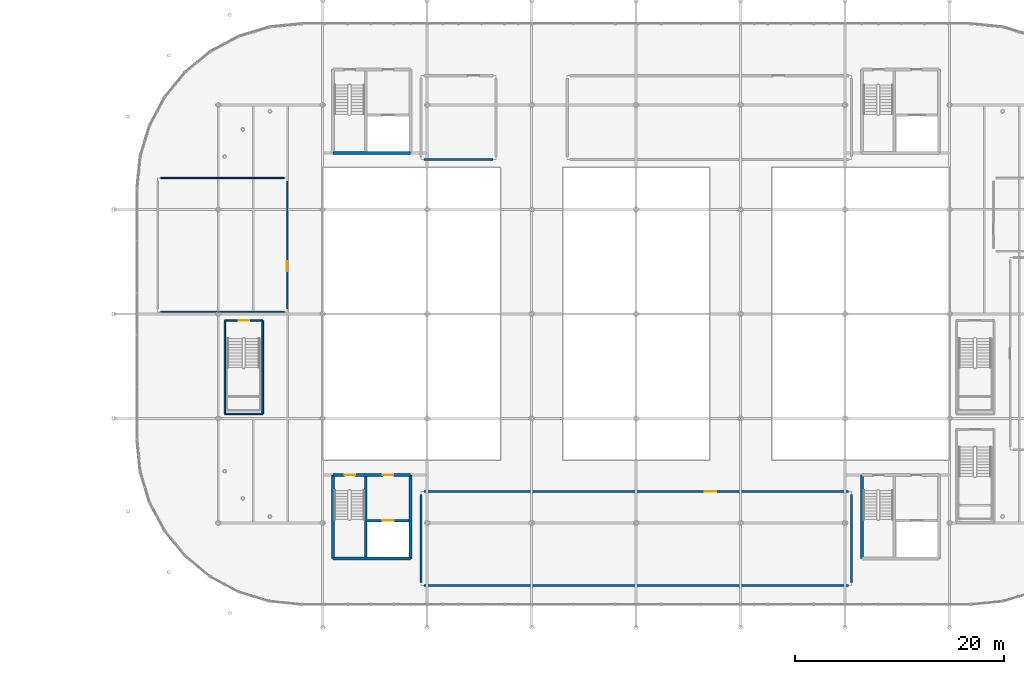
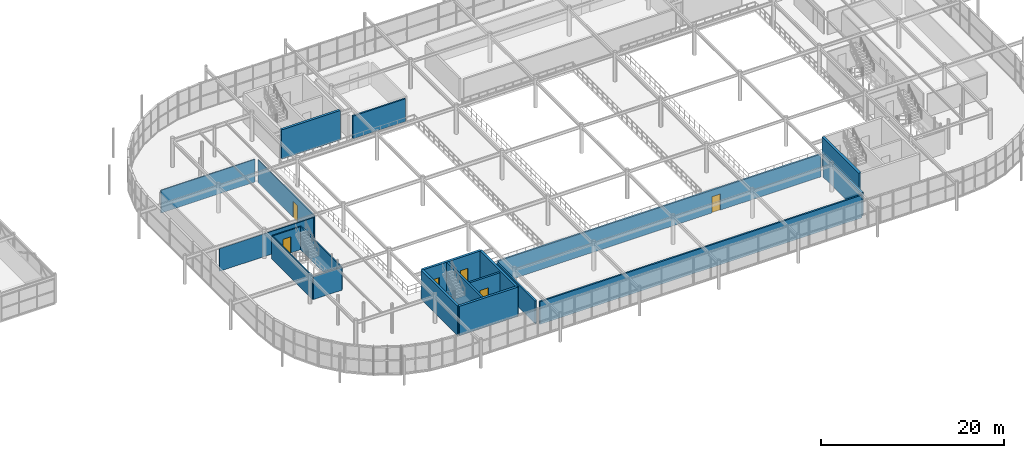
# One storey, part 76 of 98: 20 walls, 6 doors, 6 openings.
"""IFC4 building model written with IfcOpenShell, lengths in metres."""

from ifc_helpers import new_model, si_unit, derived_unit, direction, frame, frame_2d, origin, place, context, subcontext, project, spatial, rectangle, extrude, material, layer, layer_set, type_object, element, fill, save


model = new_model("IFC4")

# Units and contexts
model_context = context("Model", 3, precision=1e-05, world=origin(), true_north=direction((0.0, 1.0)))
body_context = subcontext(model_context, "Body", "Model", "MODEL_VIEW")
ifc_project = project(units=[si_unit("LENGTHUNIT", "METRE"), si_unit("AREAUNIT", "SQUARE_METRE"), si_unit("VOLUMEUNIT", "CUBIC_METRE"), si_unit("PLANEANGLEUNIT", "RADIAN"), si_unit("MASSUNIT", "GRAM", prefix="KILO"), derived_unit("THERMALTRANSMITTANCEUNIT", [(si_unit("POWERUNIT", "WATT"), 1), (si_unit("LENGTHUNIT", "METRE"), -2), (si_unit("THERMODYNAMICTEMPERATUREUNIT", "KELVIN"), -1)])], contexts=[model_context])

# Site, building, storey
site_placement = place(None, origin())
site = spatial("IfcSite", under=ifc_project, at=site_placement, CompositionType="ELEMENT")
building_placement = place(site_placement, origin())
building = spatial("IfcBuilding", under=site, at=building_placement, Name="Cinnabar Yard Market Hall", CompositionType="ELEMENT")
storey_placement = place(building_placement, frame((0.0, 0.0, 4.5)))
storey = spatial("IfcBuildingStorey", under=building, at=storey_placement, Name="L01", CompositionType="ELEMENT", Elevation=4.5)

# Wall
ifc_material_1 = material(Name="Acoustic steel-stud plasterboard", Category="steel")
ifc_layer_1 = layer(ifc_material_1, 0.1201171875)
ifc_layer_set_1 = layer_set([ifc_layer_1], Name="Acoustic steel-stud plasterboard")
wall_type_1 = type_object("IfcWallType", Name="WL-PT120", PredefinedType="PARTITIONING", material=ifc_layer_set_1)
wall_1_placement = place(storey_placement, frame((70.47998046875, 44.199951171875, 0.0), z_axis=(0.0, 0.0, 1.0), x_axis=(1.0, 0.0, 0.0)))
element("IfcWall", 1, at=wall_1_placement, inside=storey, type_object=wall_type_1, Name="Partition West Gallery Courtyard Restaurant south", PredefinedType="PARTITIONING", context=body_context, shape_type="SweptSolid", body=[
    extrude(rectangle(XDim=11.840087890625, YDim=0.1201171875, at=frame_2d((5.919921875, 0.0), x_axis=(1.0, 0.0))), origin(), (0.0, 0.0, 1.0), 3.030029296875),
])

# Wall, opening, door
wall_2_placement = place(storey_placement, frame((82.60009765625, 44.47998046875, 0.0), z_axis=(0.0, 0.0, 1.0), x_axis=(0.0, 1.0, 0.0)))
wall_2 = element("IfcWall", 2, at=wall_2_placement, inside=storey, type_object=wall_type_1, Name="Partition West Gallery Courtyard Restaurant east", PredefinedType="PARTITIONING", context=body_context, shape_type="SweptSolid", body=[
    extrude(rectangle(XDim=12.239990234375, YDim=0.1201171875, at=frame_2d((6.1201171875, 0.0), x_axis=(1.0, 0.0))), origin(), (0.0, 0.0, 1.0), 3.030029296875),
])
opening_1_placement = place(wall_2_placement, frame((3.622314453125, 0.0, 0.0)))
opening_1 = element("IfcOpeningElement", 3, at=opening_1_placement, cuts=wall_2, Name="Opening ID-145", PredefinedType="OPENING", context=body_context, shape_type="SweptSolid", body=[
    extrude(rectangle(XDim=0.919921875, YDim=2.14990234375, at=frame_2d((0.4599609375, 1.074951171875), x_axis=(1.0, 0.0))), frame((0.0, 0.070068359375, 0.0), z_axis=(0.0, -1.0, 0.0), x_axis=(1.0, 0.0, 0.0)), (0.0, 0.0, 1.0), 0.14013671875),
])
ifc_material_2 = material(Name="Solid-core spotted gum timber", Category="wood")
door_type_1 = type_object("IfcDoorType", Name="DR-D07", OperationType="NOTDEFINED", PredefinedType="DOOR", material=ifc_material_2)
door_1_placement = place(opening_1_placement, origin())
door_1 = element("IfcDoor", 4, at=door_1_placement, inside=storey, type_object=door_type_1, Name="Interior Door ID-145", OperationType="SINGLE_SWING_RIGHT", OverallHeight=2.14990234375, OverallWidth=0.919921875, PredefinedType="DOOR", context=body_context, shape_type="SweptSolid", body=[
    extrude(rectangle(XDim=0.919921875, YDim=2.14990234375, at=frame_2d((0.4599609375, 1.074951171875), x_axis=(1.0, 0.0))), frame((0.0, 0.02490234375, 0.0), z_axis=(0.0, -1.0, 0.0), x_axis=(1.0, 0.0, 0.0)), (0.0, 0.0, 1.0), 0.050048828125),
])
fill(opening_1, door_1)

# Walls
wall_3_placement = place(storey_placement, frame((82.320068359375, 57.0, 0.0), z_axis=(0.0, 0.0, 1.0), x_axis=(-1.0, 0.0, 0.0)))
element("IfcWall", 5, at=wall_3_placement, inside=storey, type_object=wall_type_1, Name="Partition West Gallery Courtyard Restaurant north", PredefinedType="PARTITIONING", context=body_context, shape_type="SweptSolid", body=[
    extrude(rectangle(XDim=11.840087890625, YDim=0.1201171875, at=frame_2d((5.919921875, 0.0), x_axis=(1.0, 0.0))), origin(), (0.0, 0.0, 1.0), 3.030029296875),
])
ifc_material_3 = material(Name="Fire-rated steel-stud plasterboard", Category="steel")
ifc_layer_2 = layer(ifc_material_3, 0.14990234375)
ifc_layer_set_2 = layer_set([ifc_layer_2], Name="Fire-rated steel-stud plasterboard")
wall_type_2 = type_object("IfcWallType", Name="WL-PT150", PredefinedType="PARTITIONING", material=ifc_layer_set_2)
for number, where, z_axis, x_axis, name in (
    (6, (76.639892578125, 43.360107421875, 0.0), (0.0, 0.0, 1.0), (0.0, -1.0, 0.0), "Stair ST-F1 Shaft Wall W L01"),
    (7, (80.260009765625, 34.43994140625, 0.0), (0.0, 0.0, 1.0), (0.0, 1.0, 0.0), "Stair ST-F1 Shaft Wall E L01"),
):
    element("IfcWall", number, at=place(storey_placement, frame(where, z_axis=z_axis, x_axis=x_axis)), inside=storey, type_object=wall_type_2, Name=name, PredefinedType="PARTITIONING", context=body_context, shape_type="SweptSolid", body=[
        extrude(rectangle(XDim=8.920166015625, YDim=0.14990234375, at=frame_2d((4.4599609375, 0.0), x_axis=(1.0, 0.0))), origin(), (0.0, 0.0, 1.0), 3.070068359375),
    ])
wall_4_placement = place(storey_placement, frame((76.639892578125, 34.43994140625, 0.0), z_axis=(0.0, 0.0, 1.0), x_axis=(1.0, 0.0, 0.0)))
element("IfcWall", 8, at=wall_4_placement, inside=storey, type_object=wall_type_2, Name="Stair ST-F1 Shaft Wall S L01", PredefinedType="PARTITIONING", context=body_context, shape_type="SweptSolid", body=[
    extrude(rectangle(XDim=3.6201171875, YDim=0.14990234375, at=frame_2d((1.81005859375, 0.0), x_axis=(1.0, 0.0))), origin(), (0.0, 0.0, 1.0), 3.070068359375),
])

# Wall, opening, door
wall_5_placement = place(storey_placement, frame((80.260009765625, 43.360107421875, 0.0), z_axis=(0.0, 0.0, 1.0), x_axis=(-1.0, 0.0, 0.0)))
wall_5 = element("IfcWall", 9, at=wall_5_placement, inside=storey, type_object=wall_type_2, Name="Stair ST-F1 Shaft Wall N L01", PredefinedType="PARTITIONING", context=body_context, shape_type="SweptSolid", body=[
    extrude(rectangle(XDim=3.6201171875, YDim=0.14990234375, at=frame_2d((1.81005859375, 0.0), x_axis=(1.0, 0.0))), origin(), (0.0, 0.0, 1.0), 3.070068359375),
])
opening_2_placement = place(wall_5_placement, frame((1.31005859375, 0.0, 0.0)))
opening_2 = element("IfcOpeningElement", 10, at=opening_2_placement, cuts=wall_5, Name="Opening CD-066", PredefinedType="OPENING", context=body_context, shape_type="SweptSolid", body=[
    extrude(rectangle(XDim=1.0, YDim=2.14990234375, at=frame_2d((0.5, 1.074951171875), x_axis=(1.0, 0.0))), frame((0.0, 0.0849609375, 0.0), z_axis=(0.0, -1.0, 0.0), x_axis=(1.0, 0.0, 0.0)), (0.0, 0.0, 1.0), 0.169921875),
])
door_type_2 = type_object("IfcDoorType", Name="DR-D05", OperationType="NOTDEFINED", PredefinedType="DOOR", material=ifc_material_2)
door_2_placement = place(opening_2_placement, origin())
door_2 = element("IfcDoor", 11, at=door_2_placement, inside=storey, type_object=door_type_2, Name="Stair Door CD-066", OperationType="SINGLE_SWING_LEFT", OverallHeight=2.14990234375, OverallWidth=1.0, PredefinedType="DOOR", context=body_context, shape_type="SweptSolid", body=[
    extrude(rectangle(XDim=1.0, YDim=2.14990234375, at=frame_2d((0.5, 1.074951171875), x_axis=(1.0, 0.0))), frame((0.0, 0.02490234375, 0.0), z_axis=(0.0, -1.0, 0.0), x_axis=(1.0, 0.0, 0.0)), (0.0, 0.0, 1.0), 0.050048828125),
])
fill(opening_2, door_2)

# Walls
ifc_material_4 = material(Name="Demountable timber-framed stall partition", Category="wood")
ifc_layer_3 = layer(ifc_material_4, 0.199951171875)
ifc_layer_set_3 = layer_set([ifc_layer_3], Name="Demountable timber-framed stall partition")
wall_type_3 = type_object("IfcWallType", Name="WL-PT200", PredefinedType="MOVABLE", material=ifc_layer_set_3)
wall_6_placement = place(storey_placement, frame((95.679931640625, 18.0, 0.0), z_axis=(0.0, 0.0, 1.0), x_axis=(1.0, 0.0, 0.0)))
element("IfcWall", 12, at=wall_6_placement, inside=storey, type_object=wall_type_3, Name="Partition South Mezzanine Spice and Tea Stall Gallery south", PredefinedType="MOVABLE", context=body_context, shape_type="SweptSolid", body=[
    extrude(rectangle(XDim=40.64013671875, YDim=0.199951171875, at=frame_2d((20.320068359375, 0.0), x_axis=(1.0, 0.0))), origin(), (0.0, 0.0, 1.0), 3.030029296875),
])
wall_7_placement = place(storey_placement, frame((136.60009765625, 18.280029296875, 0.0), z_axis=(0.0, 0.0, 1.0), x_axis=(0.0, 1.0, 0.0)))
element("IfcWall", 13, at=wall_7_placement, inside=storey, type_object=wall_type_3, Name="Partition South Mezzanine Spice and Tea Stall Gallery east", PredefinedType="MOVABLE", context=body_context, shape_type="SweptSolid", body=[
    extrude(rectangle(XDim=8.43994140625, YDim=0.199951171875, at=frame_2d((4.219970703125, 0.0), x_axis=(1.0, 0.0))), origin(), (0.0, 0.0, 1.0), 3.030029296875),
])

# Wall, opening, door
wall_8_placement = place(storey_placement, frame((136.320068359375, 27.0, 0.0), z_axis=(0.0, 0.0, 1.0), x_axis=(-1.0, 0.0, 0.0)))
wall_8 = element("IfcWall", 14, at=wall_8_placement, inside=storey, type_object=wall_type_3, Name="Partition South Mezzanine Spice and Tea Stall Gallery north", PredefinedType="MOVABLE", context=body_context, shape_type="SweptSolid", body=[
    extrude(rectangle(XDim=40.64013671875, YDim=0.199951171875, at=frame_2d((20.320068359375, 0.0), x_axis=(1.0, 0.0))), origin(), (0.0, 0.0, 1.0), 3.030029296875),
])
opening_3_placement = place(wall_8_placement, frame((12.65283203125, 0.0, 0.0)))
opening_3 = element("IfcOpeningElement", 15, at=opening_3_placement, cuts=wall_8, Name="Opening ID-142", PredefinedType="OPENING", context=body_context, shape_type="SweptSolid", body=[
    extrude(rectangle(XDim=1.10009765625, YDim=2.14990234375, at=frame_2d((0.550048828125, 1.074951171875), x_axis=(1.0, 0.0))), frame((0.0, 0.10986328125, 0.0), z_axis=(0.0, -1.0, 0.0), x_axis=(1.0, 0.0, 0.0)), (0.0, 0.0, 1.0), 0.219970703125),
])
ifc_material_5 = material(Name="Anodised aluminium and acoustic glass", Category="aluminium")
door_type_3 = type_object("IfcDoorType", Name="DR-D09", OperationType="NOTDEFINED", PredefinedType="DOOR", material=ifc_material_5)
door_3_placement = place(opening_3_placement, origin())
door_3 = element("IfcDoor", 16, at=door_3_placement, inside=storey, type_object=door_type_3, Name="Interior Door ID-142", OperationType="SLIDING_TO_LEFT", OverallHeight=2.14990234375, OverallWidth=1.10009765625, PredefinedType="DOOR", context=body_context, shape_type="SweptSolid", body=[
    extrude(rectangle(XDim=1.10009765625, YDim=2.14990234375, at=frame_2d((0.550048828125, 1.074951171875), x_axis=(1.0, 0.0))), frame((0.0, 0.02490234375, 0.0), z_axis=(0.0, -1.0, 0.0), x_axis=(1.0, 0.0, 0.0)), (0.0, 0.0, 1.0), 0.050048828125),
])
fill(opening_3, door_3)

# Walls
wall_9_placement = place(storey_placement, frame((95.39990234375, 26.719970703125, 0.0), z_axis=(0.0, 0.0, 1.0), x_axis=(0.0, -1.0, 0.0)))
element("IfcWall", 17, at=wall_9_placement, inside=storey, type_object=wall_type_3, Name="Partition South Mezzanine Spice and Tea Stall Gallery west", PredefinedType="MOVABLE", context=body_context, shape_type="SweptSolid", body=[
    extrude(rectangle(XDim=8.43994140625, YDim=0.199951171875, at=frame_2d((4.219970703125, 0.0), x_axis=(1.0, 0.0))), origin(), (0.0, 0.0, 1.0), 3.030029296875),
])
wall_10_placement = place(storey_placement, frame((95.679931640625, 58.800048828125, 0.0), z_axis=(0.0, 0.0, 1.0), x_axis=(1.0, 0.0, 0.0)))
element("IfcWall", 18, at=wall_10_placement, inside=storey, type_object=wall_type_3, Name="Partition North-West Mezzanine Craft Stall Gallery south", PredefinedType="MOVABLE", context=body_context, shape_type="SweptSolid", body=[
    extrude(rectangle(XDim=6.64013671875, YDim=0.199951171875, at=frame_2d((3.320068359375, 0.0), x_axis=(1.0, 0.0))), origin(), (0.0, 0.0, 1.0), 3.030029296875),
])
ifc_material_6 = material(Name="Concrete 40 MPa", Category="concrete")
ifc_layer_4 = layer(ifc_material_6, 0.300048828125)
ifc_layer_set_4 = layer_set([ifc_layer_4], Name="Concrete 40 MPa")
wall_type_4 = type_object("IfcWallType", Name="WL-W-CORE", PredefinedType="SHEAR", material=ifc_layer_set_4)
for number, where, z_axis, x_axis, name in (
    (19, (87.0, 28.60009765625, 0.0), (0.0, 0.0, 1.0), (0.0, -1.0, 0.0), "Core C1 West Shear Wall L01"),
    (20, (94.39990234375, 20.60009765625, 0.0), (0.0, 0.0, 1.0), (0.0, 1.0, 0.0), "Core C1 East Shear Wall L01"),
):
    element("IfcWall", number, at=place(storey_placement, frame(where, z_axis=z_axis, x_axis=x_axis)), inside=storey, type_object=wall_type_4, Name=name, PredefinedType="SHEAR", context=body_context, shape_type="SweptSolid", body=[
        extrude(rectangle(XDim=8.0, YDim=0.300048828125, at=frame_2d((4.0, 0.0), x_axis=(1.0, 0.0))), origin(), (0.0, 0.0, 1.0), 3.89990234375),
    ])
wall_11_placement = place(storey_placement, frame((87.0, 20.60009765625, 0.0), z_axis=(0.0, 0.0, 1.0), x_axis=(1.0, 0.0, 0.0)))
element("IfcWall", 21, at=wall_11_placement, inside=storey, type_object=wall_type_4, Name="Core C1 South Shear Wall L01", PredefinedType="SHEAR", context=body_context, shape_type="SweptSolid", body=[
    extrude(rectangle(XDim=7.39990234375, YDim=0.300048828125, at=frame_2d((3.699951171875, 0.0), x_axis=(1.0, 0.0))), origin(), (0.0, 0.0, 1.0), 3.89990234375),
])

# Wall, openings, doors
wall_12_placement = place(storey_placement, frame((94.39990234375, 28.60009765625, 0.0), z_axis=(0.0, 0.0, 1.0), x_axis=(-1.0, 0.0, 0.0)))
wall_12 = element("IfcWall", 22, at=wall_12_placement, inside=storey, type_object=wall_type_4, Name="Core C1 North Shear Wall L01", PredefinedType="SHEAR", context=body_context, shape_type="SweptSolid", body=[
    extrude(rectangle(XDim=7.39990234375, YDim=0.300048828125, at=frame_2d((3.699951171875, 0.0), x_axis=(1.0, 0.0))), origin(), (0.0, 0.0, 1.0), 3.89990234375),
])
opening_4_placement = place(wall_12_placement, frame((1.64990234375, 0.0, 0.0)))
opening_4 = element("IfcOpeningElement", 23, at=opening_4_placement, cuts=wall_12, Name="Opening CD-005", PredefinedType="OPENING", context=body_context, shape_type="SweptSolid", body=[
    extrude(rectangle(XDim=1.0, YDim=2.14990234375, at=frame_2d((0.5, 1.074951171875), x_axis=(1.0, 0.0))), frame((0.0, 0.159912109375, 0.0), z_axis=(0.0, -1.0, 0.0), x_axis=(1.0, 0.0, 0.0)), (0.0, 0.0, 1.0), 0.320068359375),
])
opening_5_placement = place(wall_12_placement, frame((5.300048828125, 0.0, 0.0)))
opening_5 = element("IfcOpeningElement", 24, at=opening_5_placement, cuts=wall_12, Name="Opening CD-006", PredefinedType="OPENING", context=body_context, shape_type="SweptSolid", body=[
    extrude(rectangle(XDim=1.0, YDim=2.14990234375, at=frame_2d((0.5, 1.074951171875), x_axis=(1.0, 0.0))), frame((0.0, 0.159912109375, 0.0), z_axis=(0.0, -1.0, 0.0), x_axis=(1.0, 0.0, 0.0)), (0.0, 0.0, 1.0), 0.320068359375),
])
door_4_placement = place(opening_4_placement, origin())
door_4 = element("IfcDoor", 25, at=door_4_placement, inside=storey, type_object=door_type_2, Name="Core Door CD-005", OperationType="SINGLE_SWING_RIGHT", OverallHeight=2.14990234375, OverallWidth=1.0, PredefinedType="DOOR", context=body_context, shape_type="SweptSolid", body=[
    extrude(rectangle(XDim=1.0, YDim=2.14990234375, at=frame_2d((0.5, 1.074951171875), x_axis=(1.0, 0.0))), frame((0.0, 0.02490234375, 0.0), z_axis=(0.0, -1.0, 0.0), x_axis=(1.0, 0.0, 0.0)), (0.0, 0.0, 1.0), 0.050048828125),
])
fill(opening_4, door_4)
door_5_placement = place(opening_5_placement, origin())
door_5 = element("IfcDoor", 26, at=door_5_placement, inside=storey, type_object=door_type_2, Name="Core Door CD-006", OperationType="SINGLE_SWING_LEFT", OverallHeight=2.14990234375, OverallWidth=1.0, PredefinedType="DOOR", context=body_context, shape_type="SweptSolid", body=[
    extrude(rectangle(XDim=1.0, YDim=2.14990234375, at=frame_2d((0.5, 1.074951171875), x_axis=(1.0, 0.0))), frame((0.0, 0.02490234375, 0.0), z_axis=(0.0, -1.0, 0.0), x_axis=(1.0, 0.0, 0.0)), (0.0, 0.0, 1.0), 0.050048828125),
])
fill(opening_5, door_5)

# Walls
wall_13_placement = place(storey_placement, frame((137.60009765625, 28.60009765625, 0.0), z_axis=(0.0, 0.0, 1.0), x_axis=(0.0, -1.0, 0.0)))
element("IfcWall", 27, at=wall_13_placement, inside=storey, type_object=wall_type_4, Name="Core C2 West Shear Wall L01", PredefinedType="SHEAR", context=body_context, shape_type="SweptSolid", body=[
    extrude(rectangle(XDim=8.0, YDim=0.300048828125, at=frame_2d((4.0, 0.0), x_axis=(1.0, 0.0))), origin(), (0.0, 0.0, 1.0), 3.89990234375),
])
wall_14_placement = place(storey_placement, frame((87.0, 59.39990234375, 0.0), z_axis=(0.0, 0.0, 1.0), x_axis=(1.0, 0.0, 0.0)))
element("IfcWall", 28, at=wall_14_placement, inside=storey, type_object=wall_type_4, Name="Core C3 South Shear Wall L01", PredefinedType="SHEAR", context=body_context, shape_type="SweptSolid", body=[
    extrude(rectangle(XDim=7.39990234375, YDim=0.300048828125, at=frame_2d((3.699951171875, 0.0), x_axis=(1.0, 0.0))), origin(), (0.0, 0.0, 1.0), 3.89990234375),
])
ifc_layer_5 = layer(ifc_material_6, 0.25)
ifc_layer_set_5 = layer_set([ifc_layer_5], Name="Concrete 40 MPa")
wall_type_5 = type_object("IfcWallType", Name="WL-W-SHAFT", PredefinedType="SHEAR", material=ifc_layer_set_5)
wall_15_placement = place(storey_placement, frame((90.114990234375, 20.75, 0.0), z_axis=(0.0, 0.0, 1.0), x_axis=(0.0, 1.0, 0.0)))
element("IfcWall", 29, at=wall_15_placement, inside=storey, type_object=wall_type_5, Name="Core C1 Shaft Divider L01", PredefinedType="SHEAR", context=body_context, shape_type="SweptSolid", body=[
    extrude(rectangle(XDim=7.699951171875, YDim=0.25, at=frame_2d((3.85009765625, 0.0), x_axis=(1.0, 0.0))), origin(), (0.0, 0.0, 1.0), 3.89990234375),
])

# Wall, opening, door
wall_16_placement = place(storey_placement, frame((90.280029296875, 24.219970703125, 0.0), z_axis=(0.0, 0.0, 1.0), x_axis=(1.0, 0.0, 0.0)))
wall_16 = element("IfcWall", 30, at=wall_16_placement, inside=storey, type_object=wall_type_5, Name="Core C1 Lift Front Wall L01", PredefinedType="SHEAR", context=body_context, shape_type="SweptSolid", body=[
    extrude(rectangle(XDim=3.969970703125, YDim=0.25, at=frame_2d((1.98486328125, 0.0), x_axis=(1.0, 0.0))), origin(), (0.0, 0.0, 1.0), 3.64990234375),
])
opening_6_placement = place(wall_16_placement, frame((1.43505859375, 0.0, 0.0)))
opening_6 = element("IfcOpeningElement", 31, at=opening_6_placement, cuts=wall_16, Name="Opening LD-LF-01-L01", PredefinedType="OPENING", context=body_context, shape_type="SweptSolid", body=[
    extrude(rectangle(XDim=1.10009765625, YDim=2.14990234375, at=frame_2d((0.550048828125, 1.074951171875), x_axis=(1.0, 0.0))), frame((0.0, 0.135009765625, 0.0), z_axis=(0.0, -1.0, 0.0), x_axis=(1.0, 0.0, 0.0)), (0.0, 0.0, 1.0), 0.27001953125),
])
ifc_material_7 = material(Name="Brushed stainless steel landing door", Category="steel")
door_type_4 = type_object("IfcDoorType", Name="DR-LD01", OperationType="NOTDEFINED", PredefinedType="DOOR", material=ifc_material_7)
door_6_placement = place(opening_6_placement, origin())
door_6 = element("IfcDoor", 32, at=door_6_placement, inside=storey, type_object=door_type_4, Name="Lift Landing Door LD-LF-01-L01", OperationType="SLIDING_TO_LEFT", OverallHeight=2.14990234375, OverallWidth=1.10009765625, PredefinedType="DOOR", context=body_context, shape_type="SweptSolid", body=[
    extrude(rectangle(XDim=1.10009765625, YDim=2.14990234375, at=frame_2d((0.550048828125, 1.074951171875), x_axis=(1.0, 0.0))), frame((0.0, 0.02490234375, 0.0), z_axis=(0.0, -1.0, 0.0), x_axis=(1.0, 0.0, 0.0)), (0.0, 0.0, 1.0), 0.050048828125),
])
fill(opening_6, door_6)

save(model, "model.ifc")
